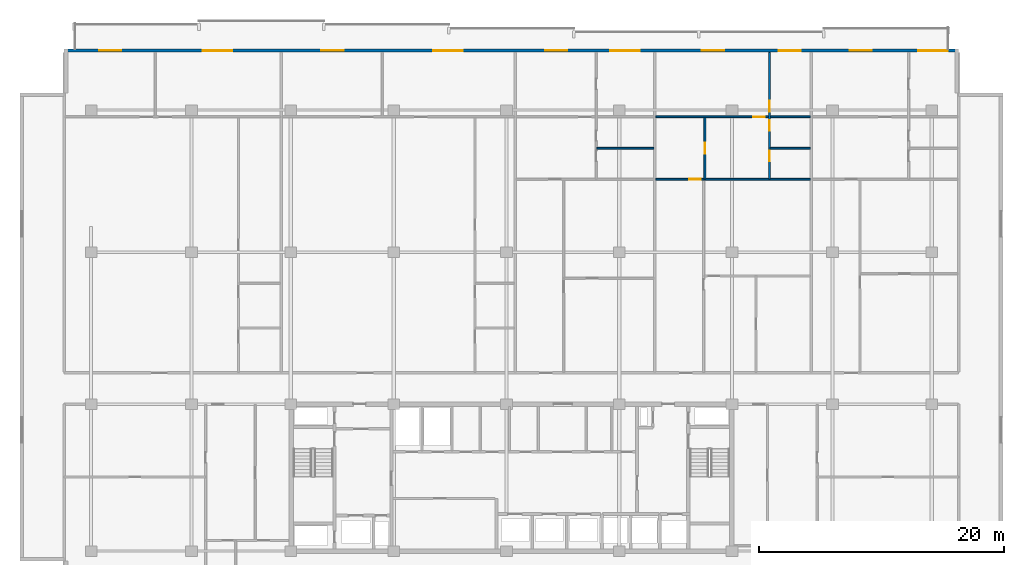
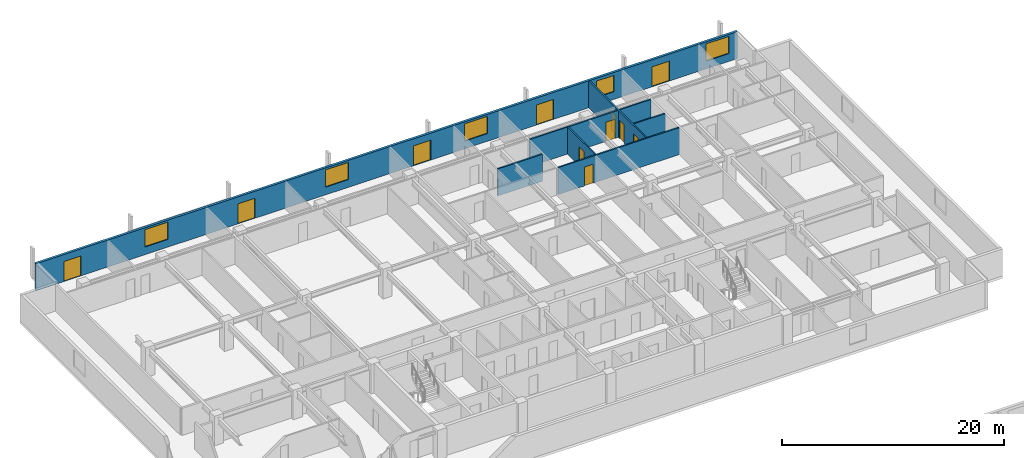
# One storey, part 15 of 22: 11 doors, 7 walls, 5 windows, 16 openings.
"""IFC4 building model written with IfcOpenShell, lengths in metres."""

from ifc_helpers import new_model, si_unit, direction, frame, frame_2d, origin, place, context, subcontext, project, spatial, rectangle, extrude, material, layer, layer_set, type_object, element, fill, save


model = new_model("IFC4")

# Units and contexts
model_context = context("Model", 3, precision=1e-05, world=origin(), true_north=direction((0.0, 1.0)))
body_context = subcontext(model_context, "Body", "Model", "MODEL_VIEW")
ifc_project = project(units=[si_unit("LENGTHUNIT", "METRE"), si_unit("AREAUNIT", "SQUARE_METRE"), si_unit("VOLUMEUNIT", "CUBIC_METRE"), si_unit("PLANEANGLEUNIT", "RADIAN"), si_unit("MASSUNIT", "GRAM", prefix="KILO")], contexts=[model_context])

# Site, building, storey
site_placement = place(None, origin())
site = spatial("IfcSite", under=ifc_project, at=site_placement, CompositionType="ELEMENT")
building_placement = place(site_placement, origin())
building = spatial("IfcBuilding", under=site, at=building_placement, Name="Korimba Cascade Residences", CompositionType="ELEMENT")
storey_placement = place(building_placement, frame((0.0, 0.0, 110.050048828125)))
storey = spatial("IfcBuildingStorey", under=building, at=storey_placement, Name="L31", CompositionType="ELEMENT", Elevation=110.050048828125)

# Wall, openings, doors, windows
ifc_material_1 = material(Name="Precast concrete C40/50", Category="concrete")
ifc_layer_1 = layer(ifc_material_1, 0.25)
ifc_layer_set_1 = layer_set([ifc_layer_1], Name="Precast concrete C40/50")
wall_type_1 = type_object("IfcWallType", Name="EW-LOG-250", PredefinedType="STANDARD", material=ifc_layer_set_1)
wall_1_placement = place(storey_placement, frame((130.60009765625, 96.050048828125, 0.0), z_axis=(0.0, 0.0, 1.0), x_axis=(-1.0, 0.0, 0.0)))
wall_1 = element("IfcWall", 1, at=wall_1_placement, inside=storey, type_object=wall_type_1, Name="L31 T1 Perimeter Stone Wall E06", PredefinedType="STANDARD", context=body_context, shape_type="SweptSolid", body=[
    extrude(rectangle(XDim=73.0, YDim=0.25, at=frame_2d((36.5, 0.0))), origin(), (0.0, 0.0, 1.0), 2.969970703125),
])
opening_1_placement = place(wall_1_placement, frame((68.31884765625, 0.0, 0.0)))
opening_1 = element("IfcOpeningElement", 2, at=opening_1_placement, cuts=wall_1, Name="Opening D-LG1", PredefinedType="OPENING", context=body_context, shape_type="SweptSolid", body=[
    extrude(rectangle(XDim=1.800048828125, YDim=2.199951171875, at=frame_2d((0.89990234375, 1.10009765625))), frame((0.0, 0.135009765625, 0.0), z_axis=(0.0, -1.0, 0.0), x_axis=(1.0, 0.0, 0.0)), (0.0, 0.0, 1.0), 0.27001953125),
])
opening_2_placement = place(wall_1_placement, frame((59.276611328125, 0.0, 0.85009765625)))
opening_2 = element("IfcOpeningElement", 3, at=opening_2_placement, cuts=wall_1, Name="Opening W-01", PredefinedType="OPENING", context=body_context, shape_type="SweptSolid", body=[
    extrude(rectangle(XDim=2.39990234375, YDim=1.89990234375, at=frame_2d((1.199951171875, 0.949951171875))), frame((0.0, 0.135009765625, 0.0), z_axis=(0.0, -1.0, 0.0), x_axis=(1.0, 0.0, 0.0)), (0.0, 0.0, 1.0), 0.27001953125),
])
opening_3_placement = place(wall_1_placement, frame((50.198974609375, 0.0, 0.0)))
opening_3 = element("IfcOpeningElement", 4, at=opening_3_placement, cuts=wall_1, Name="Opening D-LG1", PredefinedType="OPENING", context=body_context, shape_type="SweptSolid", body=[
    extrude(rectangle(XDim=1.800048828125, YDim=2.199951171875, at=frame_2d((0.89990234375, 1.10009765625))), frame((0.0, 0.135009765625, 0.0), z_axis=(0.0, -1.0, 0.0), x_axis=(1.0, 0.0, 0.0)), (0.0, 0.0, 1.0), 0.27001953125),
])
opening_4_placement = place(wall_1_placement, frame((40.48095703125, 0.0, 0.85009765625)))
opening_4 = element("IfcOpeningElement", 5, at=opening_4_placement, cuts=wall_1, Name="Opening W-01", PredefinedType="OPENING", context=body_context, shape_type="SweptSolid", body=[
    extrude(rectangle(XDim=2.39990234375, YDim=1.89990234375, at=frame_2d((1.199951171875, 0.949951171875))), frame((0.0, 0.135009765625, 0.0), z_axis=(0.0, -1.0, 0.0), x_axis=(1.0, 0.0, 0.0)), (0.0, 0.0, 1.0), 0.27001953125),
])
opening_5_placement = place(wall_1_placement, frame((31.9296875, 0.0, 0.0)))
opening_5 = element("IfcOpeningElement", 6, at=opening_5_placement, cuts=wall_1, Name="Opening D-LG1", PredefinedType="OPENING", context=body_context, shape_type="SweptSolid", body=[
    extrude(rectangle(XDim=1.800048828125, YDim=2.199951171875, at=frame_2d((0.89990234375, 1.10009765625))), frame((0.0, 0.135009765625, 0.0), z_axis=(0.0, -1.0, 0.0), x_axis=(1.0, 0.0, 0.0)), (0.0, 0.0, 1.0), 0.27001953125),
])
opening_6_placement = place(wall_1_placement, frame((26.041748046875, 0.0, 0.85009765625)))
opening_6 = element("IfcOpeningElement", 7, at=opening_6_placement, cuts=wall_1, Name="Opening W-01", PredefinedType="OPENING", context=body_context, shape_type="SweptSolid", body=[
    extrude(rectangle(XDim=2.39990234375, YDim=1.89990234375, at=frame_2d((1.199951171875, 0.949951171875))), frame((0.0, 0.135009765625, 0.0), z_axis=(0.0, -1.0, 0.0), x_axis=(1.0, 0.0, 0.0)), (0.0, 0.0, 1.0), 0.27001953125),
])
opening_7_placement = place(wall_1_placement, frame((19.149658203125, 0.0, 0.0)))
opening_7 = element("IfcOpeningElement", 8, at=opening_7_placement, cuts=wall_1, Name="Opening D-LG1", PredefinedType="OPENING", context=body_context, shape_type="SweptSolid", body=[
    extrude(rectangle(XDim=1.800048828125, YDim=2.199951171875, at=frame_2d((0.89990234375, 1.10009765625))), frame((0.0, 0.135009765625, 0.0), z_axis=(0.0, -1.0, 0.0), x_axis=(1.0, 0.0, 0.0)), (0.0, 0.0, 1.0), 0.27001953125),
])
opening_8_placement = place(wall_1_placement, frame((12.885986328125, 0.0, 0.85009765625)))
opening_8 = element("IfcOpeningElement", 9, at=opening_8_placement, cuts=wall_1, Name="Opening W-02", PredefinedType="OPENING", context=body_context, shape_type="SweptSolid", body=[
    extrude(rectangle(XDim=1.800048828125, YDim=1.800048828125, at=frame_2d((0.89990234375, 0.89990234375))), frame((0.0, 0.135009765625, 0.0), z_axis=(0.0, -1.0, 0.0), x_axis=(1.0, 0.0, 0.0)), (0.0, 0.0, 1.0), 0.27001953125),
])
opening_9_placement = place(wall_1_placement, frame((7.087890625, 0.0, 0.0)))
opening_9 = element("IfcOpeningElement", 10, at=opening_9_placement, cuts=wall_1, Name="Opening D-LG1", PredefinedType="OPENING", context=body_context, shape_type="SweptSolid", body=[
    extrude(rectangle(XDim=1.800048828125, YDim=2.199951171875, at=frame_2d((0.89990234375, 1.10009765625))), frame((0.0, 0.135009765625, 0.0), z_axis=(0.0, -1.0, 0.0), x_axis=(1.0, 0.0, 0.0)), (0.0, 0.0, 1.0), 0.27001953125),
])
opening_10_placement = place(wall_1_placement, frame((0.89990234375, 0.0, 0.85009765625)))
opening_10 = element("IfcOpeningElement", 11, at=opening_10_placement, cuts=wall_1, Name="Opening W-01", PredefinedType="OPENING", context=body_context, shape_type="SweptSolid", body=[
    extrude(rectangle(XDim=2.39990234375, YDim=1.89990234375, at=frame_2d((1.199951171875, 0.949951171875))), frame((0.0, 0.135009765625, 0.0), z_axis=(0.0, -1.0, 0.0), x_axis=(1.0, 0.0, 0.0)), (0.0, 0.0, 1.0), 0.27001953125),
])
ifc_material_2 = material(Name="Glazed Aluminium Loggia Sliding Door", Category="aluminium")
door_type_1 = type_object("IfcDoorType", Name="DR-EXT-LOG", OperationType="NOTDEFINED", PredefinedType="DOOR", material=ifc_material_2)
door_1_placement = place(opening_1_placement, origin())
door_1 = element("IfcDoor", 12, at=door_1_placement, inside=storey, type_object=door_type_1, Name="L31 T1 Loggia Sliding Door 3", OperationType="SLIDING_TO_LEFT", OverallHeight=2.199951171875, OverallWidth=1.800048828125, PredefinedType="DOOR", context=body_context, shape_type="SweptSolid", body=[
    extrude(rectangle(XDim=1.800048828125, YDim=2.199951171875, at=frame_2d((0.89990234375, 1.10009765625))), frame((0.0, 0.02490234375, 0.0), z_axis=(0.0, -1.0, 0.0), x_axis=(1.0, 0.0, 0.0)), (0.0, 0.0, 1.0), 0.050048828125),
])
fill(opening_1, door_1)
door_2_placement = place(opening_3_placement, origin())
door_2 = element("IfcDoor", 13, at=door_2_placement, inside=storey, type_object=door_type_1, Name="L31 T1 Loggia Sliding Door 5", OperationType="SLIDING_TO_LEFT", OverallHeight=2.199951171875, OverallWidth=1.800048828125, PredefinedType="DOOR", context=body_context, shape_type="SweptSolid", body=[
    extrude(rectangle(XDim=1.800048828125, YDim=2.199951171875, at=frame_2d((0.89990234375, 1.10009765625))), frame((0.0, 0.02490234375, 0.0), z_axis=(0.0, -1.0, 0.0), x_axis=(1.0, 0.0, 0.0)), (0.0, 0.0, 1.0), 0.050048828125),
])
fill(opening_3, door_2)
door_3_placement = place(opening_5_placement, origin())
door_3 = element("IfcDoor", 14, at=door_3_placement, inside=storey, type_object=door_type_1, Name="L31 T1 Loggia Sliding Door 7", OperationType="SLIDING_TO_LEFT", OverallHeight=2.199951171875, OverallWidth=1.800048828125, PredefinedType="DOOR", context=body_context, shape_type="SweptSolid", body=[
    extrude(rectangle(XDim=1.800048828125, YDim=2.199951171875, at=frame_2d((0.89990234375, 1.10009765625))), frame((0.0, 0.02490234375, 0.0), z_axis=(0.0, -1.0, 0.0), x_axis=(1.0, 0.0, 0.0)), (0.0, 0.0, 1.0), 0.050048828125),
])
fill(opening_5, door_3)
door_4_placement = place(opening_7_placement, origin())
door_4 = element("IfcDoor", 15, at=door_4_placement, inside=storey, type_object=door_type_1, Name="L31 T1 Loggia Sliding Door 9", OperationType="SLIDING_TO_LEFT", OverallHeight=2.199951171875, OverallWidth=1.800048828125, PredefinedType="DOOR", context=body_context, shape_type="SweptSolid", body=[
    extrude(rectangle(XDim=1.800048828125, YDim=2.199951171875, at=frame_2d((0.89990234375, 1.10009765625))), frame((0.0, 0.02490234375, 0.0), z_axis=(0.0, -1.0, 0.0), x_axis=(1.0, 0.0, 0.0)), (0.0, 0.0, 1.0), 0.050048828125),
])
fill(opening_7, door_4)
door_5_placement = place(opening_9_placement, origin())
door_5 = element("IfcDoor", 16, at=door_5_placement, inside=storey, type_object=door_type_1, Name="L31 T1 Loggia Sliding Door 11", OperationType="SLIDING_TO_LEFT", OverallHeight=2.199951171875, OverallWidth=1.800048828125, PredefinedType="DOOR", context=body_context, shape_type="SweptSolid", body=[
    extrude(rectangle(XDim=1.800048828125, YDim=2.199951171875, at=frame_2d((0.89990234375, 1.10009765625))), frame((0.0, 0.02490234375, 0.0), z_axis=(0.0, -1.0, 0.0), x_axis=(1.0, 0.0, 0.0)), (0.0, 0.0, 1.0), 0.050048828125),
])
fill(opening_9, door_5)
ifc_material_3 = material(Name="Double-Glazed Aluminium Window", Category="aluminium")
window_type_1 = type_object("IfcWindowType", Name="WIN-BED-1800", PartitioningType="SINGLE_PANEL", PredefinedType="WINDOW", material=ifc_material_3)
window_1_placement = place(opening_8_placement, origin())
window_1 = element("IfcWindow", 17, at=window_1_placement, inside=storey, type_object=window_type_1, Name="L31 T1 North Facade Window 10", OverallHeight=1.800048828125, OverallWidth=1.800048828125, PartitioningType="SINGLE_PANEL", PredefinedType="WINDOW", context=body_context, shape_type="SweptSolid", body=[
    extrude(rectangle(XDim=1.800048828125, YDim=1.800048828125, at=frame_2d((0.89990234375, 0.89990234375))), frame((0.0, 0.030029296875, 0.0), z_axis=(0.0, -1.0, 0.0), x_axis=(1.0, 0.0, 0.0)), (0.0, 0.0, 1.0), 0.06005859375),
])
fill(opening_8, window_1)
window_type_2 = type_object("IfcWindowType", Name="WIN-RES-2400", PartitioningType="DOUBLE_PANEL_VERTICAL", PredefinedType="WINDOW", material=ifc_material_3)
window_2_placement = place(opening_2_placement, origin())
window_2 = element("IfcWindow", 18, at=window_2_placement, inside=storey, type_object=window_type_2, Name="L31 T1 North Facade Window 4", OverallHeight=1.89990234375, OverallWidth=2.39990234375, PartitioningType="DOUBLE_PANEL_VERTICAL", PredefinedType="WINDOW", context=body_context, shape_type="SweptSolid", body=[
    extrude(rectangle(XDim=2.39990234375, YDim=1.89990234375, at=frame_2d((1.199951171875, 0.949951171875))), frame((0.0, 0.030029296875, 0.0), z_axis=(0.0, -1.0, 0.0), x_axis=(1.0, 0.0, 0.0)), (0.0, 0.0, 1.0), 0.06005859375),
])
fill(opening_2, window_2)
window_3_placement = place(opening_4_placement, origin())
window_3 = element("IfcWindow", 19, at=window_3_placement, inside=storey, type_object=window_type_2, Name="L31 T1 North Facade Window 6", OverallHeight=1.89990234375, OverallWidth=2.39990234375, PartitioningType="DOUBLE_PANEL_VERTICAL", PredefinedType="WINDOW", context=body_context, shape_type="SweptSolid", body=[
    extrude(rectangle(XDim=2.39990234375, YDim=1.89990234375, at=frame_2d((1.199951171875, 0.949951171875))), frame((0.0, 0.030029296875, 0.0), z_axis=(0.0, -1.0, 0.0), x_axis=(1.0, 0.0, 0.0)), (0.0, 0.0, 1.0), 0.06005859375),
])
fill(opening_4, window_3)
window_4_placement = place(opening_6_placement, origin())
window_4 = element("IfcWindow", 20, at=window_4_placement, inside=storey, type_object=window_type_2, Name="L31 T1 North Facade Window 8", OverallHeight=1.89990234375, OverallWidth=2.39990234375, PartitioningType="DOUBLE_PANEL_VERTICAL", PredefinedType="WINDOW", context=body_context, shape_type="SweptSolid", body=[
    extrude(rectangle(XDim=2.39990234375, YDim=1.89990234375, at=frame_2d((1.199951171875, 0.949951171875))), frame((0.0, 0.030029296875, 0.0), z_axis=(0.0, -1.0, 0.0), x_axis=(1.0, 0.0, 0.0)), (0.0, 0.0, 1.0), 0.06005859375),
])
fill(opening_6, window_4)
window_5_placement = place(opening_10_placement, origin())
window_5 = element("IfcWindow", 21, at=window_5_placement, inside=storey, type_object=window_type_2, Name="L31 T1 North Facade Window 12", OverallHeight=1.89990234375, OverallWidth=2.39990234375, PartitioningType="DOUBLE_PANEL_VERTICAL", PredefinedType="WINDOW", context=body_context, shape_type="SweptSolid", body=[
    extrude(rectangle(XDim=2.39990234375, YDim=1.89990234375, at=frame_2d((1.199951171875, 0.949951171875))), frame((0.0, 0.030029296875, 0.0), z_axis=(0.0, -1.0, 0.0), x_axis=(1.0, 0.0, 0.0)), (0.0, 0.0, 1.0), 0.06005859375),
])
fill(opening_10, window_5)

# Wall
ifc_material_4 = material(Name="Insulated Acoustic Stud Partition", Category="gypsum")
ifc_layer_2 = layer(ifc_material_4, 0.14990234375)
ifc_layer_set_2 = layer_set([ifc_layer_2], Name="Insulated Acoustic Stud Partition")
wall_type_2 = type_object("IfcWallType", Name="WAL-PART-150", PredefinedType="PARTITIONING", material=ifc_layer_set_2)
wall_2_placement = place(storey_placement, frame((101.080078125, 88.090087890625, 0.0), z_axis=(0.0, 0.0, 1.0), x_axis=(1.0, 0.0, 0.0)))
element("IfcWall", 22, at=wall_2_placement, inside=storey, type_object=wall_type_2, Name="L31 Partition Wall WAL-L31-T1-U03-BLDIV", PredefinedType="PARTITIONING", context=body_context, shape_type="SweptSolid", body=[
    extrude(rectangle(XDim=4.656494140625, YDim=0.14990234375, at=frame_2d((2.328125, 0.0))), origin(), (0.0, 0.0, 1.0), 2.969970703125),
])

# Wall, opening, door
wall_3_placement = place(storey_placement, frame((109.88671875, 85.590087890625, 0.0), z_axis=(0.0, 0.0, 1.0), x_axis=(0.0, 1.0, 0.0)))
wall_3 = element("IfcWall", 23, at=wall_3_placement, inside=storey, type_object=wall_type_2, Name="L31 Partition Wall WAL-L31-T1-U04-VDIN", PredefinedType="PARTITIONING", context=body_context, shape_type="SweptSolid", body=[
    extrude(rectangle(XDim=5.0, YDim=0.14990234375, at=frame_2d((2.5, 0.0))), origin(), (0.0, 0.0, 1.0), 2.969970703125),
])
opening_11_placement = place(wall_3_placement, frame((2.06005859375, 0.0, 0.0)))
opening_11 = element("IfcOpeningElement", 24, at=opening_11_placement, cuts=wall_3, Name="Opening D-IN2", PredefinedType="OPENING", context=body_context, shape_type="SweptSolid", body=[
    extrude(rectangle(XDim=0.8798828125, YDim=2.06005859375, at=frame_2d((0.43994140625, 1.030029296875))), frame((0.0, 0.0849609375, 0.0), z_axis=(0.0, -1.0, 0.0), x_axis=(1.0, 0.0, 0.0)), (0.0, 0.0, 1.0), 0.169921875),
])
ifc_material_5 = material(Name="Acoustic Timber Bedroom Door", Category="wood")
door_type_2 = type_object("IfcDoorType", Name="DR-INT-880", OperationType="NOTDEFINED", PredefinedType="DOOR", material=ifc_material_5)
door_6_placement = place(opening_11_placement, origin())
door_6 = element("IfcDoor", 25, at=door_6_placement, inside=storey, type_object=door_type_2, Name="L31-T1-U04 Dining Room Door", OperationType="SINGLE_SWING_RIGHT", OverallHeight=2.06005859375, OverallWidth=0.8798828125, PredefinedType="DOOR", context=body_context, shape_type="SweptSolid", body=[
    extrude(rectangle(XDim=0.8798828125, YDim=2.06005859375, at=frame_2d((0.43994140625, 1.030029296875))), frame((0.0, 0.02490234375, 0.0), z_axis=(0.0, -1.0, 0.0), x_axis=(1.0, 0.0, 0.0)), (0.0, 0.0, 1.0), 0.050048828125),
])
fill(opening_11, door_6)

# Wall
wall_4_placement = place(storey_placement, frame((115.223876953125, 88.090087890625, 0.0), z_axis=(0.0, 0.0, 1.0), x_axis=(1.0, 0.0, 0.0)))
element("IfcWall", 26, at=wall_4_placement, inside=storey, type_object=wall_type_2, Name="L31 Partition Wall WAL-L31-T1-U04-BLDIV", PredefinedType="PARTITIONING", context=body_context, shape_type="SweptSolid", body=[
    extrude(rectangle(XDim=3.280029296875, YDim=0.14990234375, at=frame_2d((1.64013671875, 0.0))), origin(), (0.0, 0.0, 1.0), 2.969970703125),
])

# Wall, openings, doors
wall_5_placement = place(storey_placement, frame((115.163818359375, 85.590087890625, 0.0), z_axis=(0.0, 0.0, 1.0), x_axis=(0.0, 1.0, 0.0)))
wall_5 = element("IfcWall", 27, at=wall_5_placement, inside=storey, type_object=wall_type_2, Name="L31 Partition Wall WAL-L31-T1-U04-V1", PredefinedType="PARTITIONING", context=body_context, shape_type="SweptSolid", body=[
    extrude(rectangle(XDim=10.309814453125, YDim=0.14990234375, at=frame_2d((5.15478515625, 0.0))), origin(), (0.0, 0.0, 1.0), 2.969970703125),
])
opening_12_placement = place(wall_5_placement, frame((1.430419921875, 0.0, 0.0)))
opening_12 = element("IfcOpeningElement", 28, at=opening_12_placement, cuts=wall_5, Name="Opening D-BT1", PredefinedType="OPENING", context=body_context, shape_type="SweptSolid", body=[
    extrude(rectangle(XDim=0.840087890625, YDim=2.0400390625, at=frame_2d((0.419921875, 1.02001953125))), frame((0.0, 0.0849609375, 0.0), z_axis=(0.0, -1.0, 0.0), x_axis=(1.0, 0.0, 0.0)), (0.0, 0.0, 1.0), 0.169921875),
])
opening_13_placement = place(wall_5_placement, frame((3.919921875, 0.0, 0.0)))
opening_13 = element("IfcOpeningElement", 29, at=opening_13_placement, cuts=wall_5, Name="Opening D-BT1", PredefinedType="OPENING", context=body_context, shape_type="SweptSolid", body=[
    extrude(rectangle(XDim=0.840087890625, YDim=2.0400390625, at=frame_2d((0.419921875, 1.02001953125))), frame((0.0, 0.0849609375, 0.0), z_axis=(0.0, -1.0, 0.0), x_axis=(1.0, 0.0, 0.0)), (0.0, 0.0, 1.0), 0.169921875),
])
opening_14_placement = place(wall_5_placement, frame((5.47998046875, 0.0, 0.0)))
opening_14 = element("IfcOpeningElement", 30, at=opening_14_placement, cuts=wall_5, Name="Opening D-IN2", PredefinedType="OPENING", context=body_context, shape_type="SweptSolid", body=[
    extrude(rectangle(XDim=0.8798828125, YDim=2.06005859375, at=frame_2d((0.43994140625, 1.030029296875))), frame((0.0, 0.0849609375, 0.0), z_axis=(0.0, -1.0, 0.0), x_axis=(1.0, 0.0, 0.0)), (0.0, 0.0, 1.0), 0.169921875),
])
ifc_material_6 = material(Name="Moisture-Resistant Bathroom Timber Door", Category="wood")
door_type_3 = type_object("IfcDoorType", Name="DR-INT-850", OperationType="NOTDEFINED", PredefinedType="DOOR", material=ifc_material_6)
door_7_placement = place(opening_12_placement, origin())
door_7 = element("IfcDoor", 31, at=door_7_placement, inside=storey, type_object=door_type_3, Name="L31-T1-U04 Bathroom Door", OperationType="SINGLE_SWING_LEFT", OverallHeight=2.0400390625, OverallWidth=0.840087890625, PredefinedType="DOOR", context=body_context, shape_type="SweptSolid", body=[
    extrude(rectangle(XDim=0.840087890625, YDim=2.0400390625, at=frame_2d((0.419921875, 1.02001953125))), frame((0.0, 0.02490234375, 0.0), z_axis=(0.0, -1.0, 0.0), x_axis=(1.0, 0.0, 0.0)), (0.0, 0.0, 1.0), 0.050048828125),
])
fill(opening_12, door_7)
door_8_placement = place(opening_13_placement, origin())
door_8 = element("IfcDoor", 32, at=door_8_placement, inside=storey, type_object=door_type_3, Name="L31-T1-U04 Laundry Door", OperationType="SINGLE_SWING_RIGHT", OverallHeight=2.0400390625, OverallWidth=0.840087890625, PredefinedType="DOOR", context=body_context, shape_type="SweptSolid", body=[
    extrude(rectangle(XDim=0.840087890625, YDim=2.0400390625, at=frame_2d((0.419921875, 1.02001953125))), frame((0.0, 0.02490234375, 0.0), z_axis=(0.0, -1.0, 0.0), x_axis=(1.0, 0.0, 0.0)), (0.0, 0.0, 1.0), 0.050048828125),
])
fill(opening_13, door_8)
door_9_placement = place(opening_14_placement, origin())
door_9 = element("IfcDoor", 33, at=door_9_placement, inside=storey, type_object=door_type_2, Name="L31-T1-U04 Bedroom 1 Door", OperationType="SINGLE_SWING_LEFT", OverallHeight=2.06005859375, OverallWidth=0.8798828125, PredefinedType="DOOR", context=body_context, shape_type="SweptSolid", body=[
    extrude(rectangle(XDim=0.8798828125, YDim=2.06005859375, at=frame_2d((0.43994140625, 1.030029296875))), frame((0.0, 0.02490234375, 0.0), z_axis=(0.0, -1.0, 0.0), x_axis=(1.0, 0.0, 0.0)), (0.0, 0.0, 1.0), 0.050048828125),
])
fill(opening_14, door_9)

# Wall, opening, door
wall_6_placement = place(storey_placement, frame((105.896484375, 85.550048828125, 0.0), z_axis=(0.0, 0.0, 1.0), x_axis=(1.0, 0.0, 0.0)))
wall_6 = element("IfcWall", 34, at=wall_6_placement, inside=storey, type_object=wall_type_2, Name="L31 Partition Wall WAL-L31-T1-U04-MW", PredefinedType="PARTITIONING", context=body_context, shape_type="SweptSolid", body=[
    extrude(rectangle(XDim=12.607421875, YDim=0.14990234375, at=frame_2d((6.3037109375, 0.0))), origin(), (0.0, 0.0, 1.0), 2.969970703125),
])
opening_15_placement = place(wall_6_placement, frame((2.719970703125, 0.0, 0.0)))
opening_15 = element("IfcOpeningElement", 35, at=opening_15_placement, cuts=wall_6, Name="Opening D-IN1", PredefinedType="OPENING", context=body_context, shape_type="SweptSolid", body=[
    extrude(rectangle(XDim=0.919921875, YDim=2.080078125, at=frame_2d((0.4599609375, 1.0400390625))), frame((0.0, 0.0849609375, 0.0), z_axis=(0.0, -1.0, 0.0), x_axis=(1.0, 0.0, 0.0)), (0.0, 0.0, 1.0), 0.169921875),
])
ifc_material_7 = material(Name="Acoustic Timber Living Door", Category="wood")
door_type_4 = type_object("IfcDoorType", Name="DR-INT-920", OperationType="NOTDEFINED", PredefinedType="DOOR", material=ifc_material_7)
door_10_placement = place(opening_15_placement, origin())
door_10 = element("IfcDoor", 36, at=door_10_placement, inside=storey, type_object=door_type_4, Name="L31-T1-U04 Kitchen Archway Door", OperationType="SINGLE_SWING_RIGHT", OverallHeight=2.080078125, OverallWidth=0.919921875, PredefinedType="DOOR", context=body_context, shape_type="SweptSolid", body=[
    extrude(rectangle(XDim=0.919921875, YDim=2.080078125, at=frame_2d((0.4599609375, 1.0400390625))), frame((0.0, 0.02490234375, 0.0), z_axis=(0.0, -1.0, 0.0), x_axis=(1.0, 0.0, 0.0)), (0.0, 0.0, 1.0), 0.050048828125),
])
fill(opening_15, door_10)

wall_7_placement = place(storey_placement, frame((105.896484375, 90.64990234375, 0.0), z_axis=(0.0, 0.0, 1.0), x_axis=(1.0, 0.0, 0.0)))
wall_7 = element("IfcWall", 37, at=wall_7_placement, inside=storey, type_object=wall_type_2, Name="L31 Partition Wall WAL-L31-T1-U04-HZ", PredefinedType="PARTITIONING", context=body_context, shape_type="SweptSolid", body=[
    extrude(rectangle(XDim=12.607421875, YDim=0.14990234375, at=frame_2d((6.3037109375, 0.0))), origin(), (0.0, 0.0, 1.0), 2.969970703125),
])
opening_16_placement = place(wall_7_placement, frame((7.9208984375, 0.0, 0.0)))
opening_16 = element("IfcOpeningElement", 38, at=opening_16_placement, cuts=wall_7, Name="Opening D-IN0", PredefinedType="OPENING", context=body_context, shape_type="SweptSolid", body=[
    extrude(rectangle(XDim=0.93994140625, YDim=2.10009765625, at=frame_2d((0.469970703125, 1.050048828125))), frame((0.0, 0.0849609375, 0.0), z_axis=(0.0, -1.0, 0.0), x_axis=(1.0, 0.0, 0.0)), (0.0, 0.0, 1.0), 0.169921875),
])
ifc_material_8 = material(Name="Acoustic Timber Living Archway Door", Category="wood")
door_type_5 = type_object("IfcDoorType", Name="DR-INT-950", OperationType="NOTDEFINED", PredefinedType="DOOR", material=ifc_material_8)
door_11_placement = place(opening_16_placement, origin())
door_11 = element("IfcDoor", 39, at=door_11_placement, inside=storey, type_object=door_type_5, Name="L31-T1-U04 Living Archway Door", OperationType="SINGLE_SWING_LEFT", OverallHeight=2.10009765625, OverallWidth=0.93994140625, PredefinedType="DOOR", context=body_context, shape_type="SweptSolid", body=[
    extrude(rectangle(XDim=0.93994140625, YDim=2.10009765625, at=frame_2d((0.469970703125, 1.050048828125))), frame((0.0, 0.02490234375, 0.0), z_axis=(0.0, -1.0, 0.0), x_axis=(1.0, 0.0, 0.0)), (0.0, 0.0, 1.0), 0.050048828125),
])
fill(opening_16, door_11)

save(model, "model.ifc")
